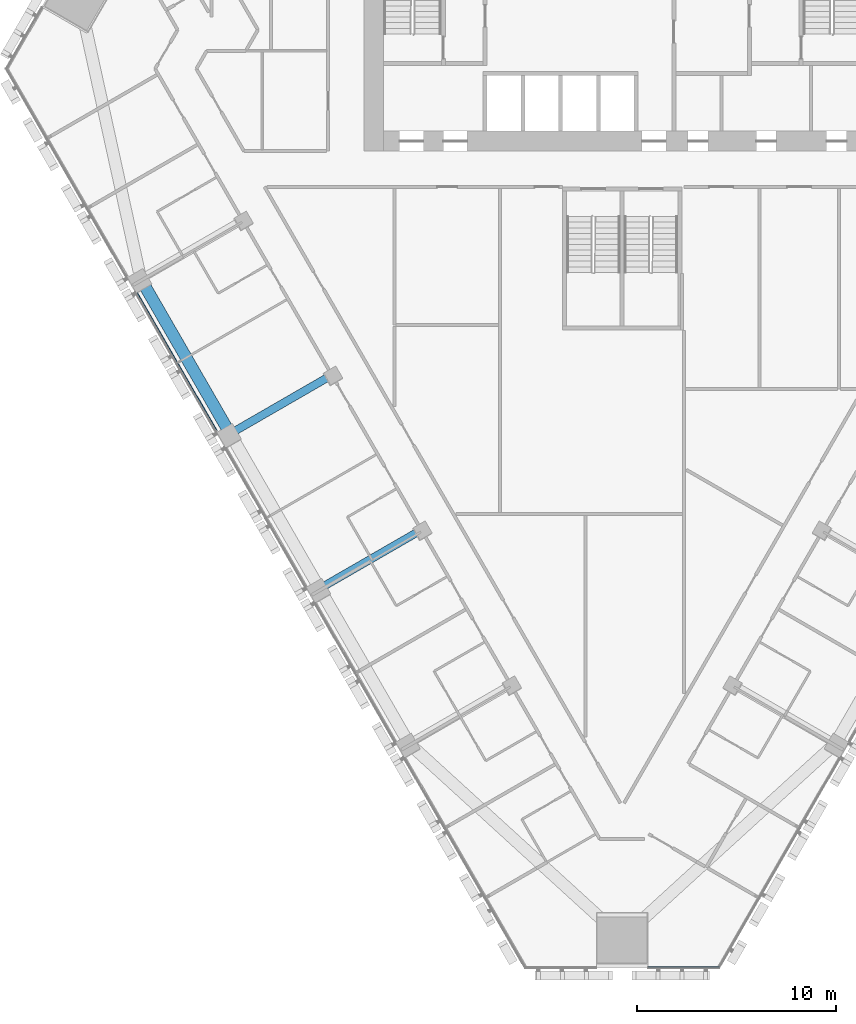
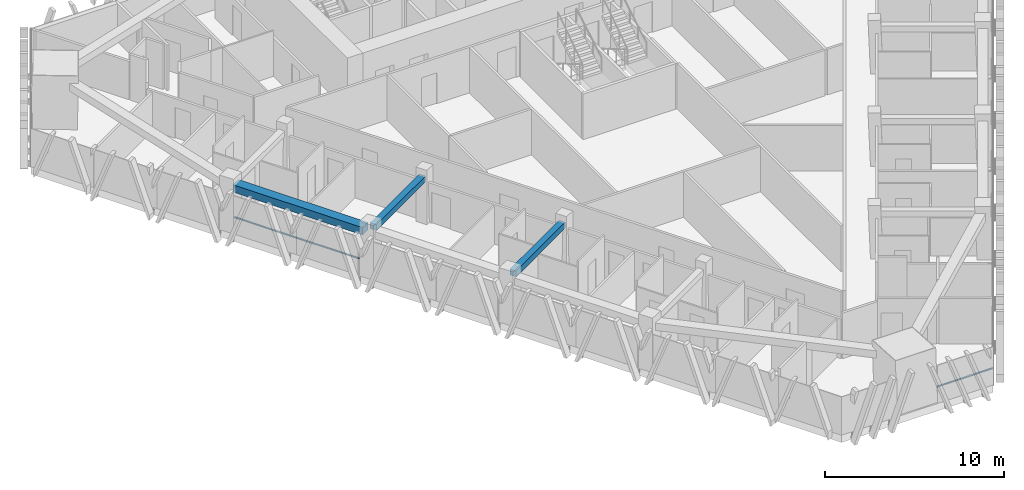
# One storey, part 3 of 18: 3 beams, 2 members, 2 elements without a shape of their own.
"""IFC4 building model written with IfcOpenShell, lengths in metres."""

from ifc_helpers import new_model, si_unit, direction, frame, origin, origin_2d, place, context, subcontext, project, spatial, rectangle, extrude, material, layer, layer_set, material_profile, profile_set, type_object, element, aggregate, save


model = new_model("IFC4")

# Units and contexts
model_context = context("Model", 3, precision=1e-05, world=origin(), true_north=direction((0.0, 1.0)))
body_context = subcontext(model_context, "Body", "Model", "MODEL_VIEW")
ifc_project = project(units=[si_unit("LENGTHUNIT", "METRE"), si_unit("AREAUNIT", "SQUARE_METRE"), si_unit("VOLUMEUNIT", "CUBIC_METRE"), si_unit("PLANEANGLEUNIT", "RADIAN"), si_unit("MASSUNIT", "GRAM", prefix="KILO")], contexts=[model_context])

# Site, building, storey
site_placement = place(None, origin())
site = spatial("IfcSite", under=ifc_project, at=site_placement, CompositionType="ELEMENT")
building_placement = place(site_placement, origin())
building = spatial("IfcBuilding", under=site, at=building_placement, Name="Altiplano Prism Tower", CompositionType="ELEMENT")
storey_placement = place(building_placement, frame((0.0, 0.0, 37.800048828125)))
storey = spatial("IfcBuildingStorey", under=building, at=storey_placement, Name="L08", CompositionType="ELEMENT", Elevation=37.800048828125)

# Curtain wall, member
ifc_material_1 = material(Name="Aluminium and glass", Category="aluminium")
ifc_layer = layer(ifc_material_1, 0.280029296875)
ifc_layer_set = layer_set([ifc_layer], Name="Aluminium and glass")
curtain_wall_type = type_object("IfcCurtainWallType", Name="CW1 typical co-living unitised curtain wall", PredefinedType="NOTDEFINED", material=ifc_layer_set)
curtain_wall_1_placement = place(storey_placement, origin())
curtain_wall_1 = element("IfcCurtainWall", 1, at=curtain_wall_1_placement, inside=storey, type_object=curtain_wall_type, Name="CW1 curtain wall south-west face L08", PredefinedType="NOTDEFINED")
ifc_material_2 = material(Name="Aluminium", Category="aluminium")
ifc_material_profile_1 = material_profile(ifc_material_2, rectangle(XDim=0.06005859375, YDim=0.080078125, at=origin_2d()), Name="CW1 transom 80 x 60")
ifc_profile_set_1 = profile_set([ifc_material_profile_1], Name="Aluminium")
member_type = type_object("IfcMemberType", Name="CW1 transom 80 x 60", PredefinedType="USERDEFINED", material=ifc_profile_set_1)
member_1_placement = place(storey_placement, frame((60.58935546875, 85.251708984375, 1.099853515625), z_axis=(0.500012318566, -0.86601829154, 0.0), x_axis=(0.86601829154, 0.500012318566, 0.0)))
member_1 = element("IfcMember", 2, at=member_1_placement, type_object=member_type, Name="CW1 transom", ObjectType="TRANSOM", PredefinedType="USERDEFINED", context=body_context, shape_type="SweptSolid", body=[
    extrude(rectangle(XDim=0.06005859375, YDim=0.080078125, at=origin_2d()), origin(), (0.0, 0.0, 1.0), 8.019775390625),
])
aggregate(curtain_wall_1, [member_1])

curtain_wall_2_placement = place(storey_placement, origin())
curtain_wall_2 = element("IfcCurtainWall", 3, at=curtain_wall_2_placement, inside=storey, type_object=curtain_wall_type, Name="CW1 curtain wall south chamfer L08", PredefinedType="NOTDEFINED")
member_2_placement = place(storey_placement, frame((86.300048828125, 51.361572265625, 1.099853515625), z_axis=(1.0, 0.0, 0.0), x_axis=(0.0, 1.0, 0.0)))
member_2 = element("IfcMember", 4, at=member_2_placement, type_object=member_type, Name="CW1 transom", ObjectType="TRANSOM", PredefinedType="USERDEFINED", context=body_context, shape_type="SweptSolid", body=[
    extrude(rectangle(XDim=0.06005859375, YDim=0.080078125, at=origin_2d()), origin(), (0.0, 0.0, 1.0), 3.58447265625),
])
aggregate(curtain_wall_2, [member_2])

# Beams
ifc_material_3 = material(Name="Concrete C60/75", Category="concrete")
ifc_material_profile_2 = material_profile(ifc_material_3, rectangle(XDim=0.60009765625, YDim=0.5, at=origin_2d()), Name="Edge beam 600x500")
ifc_profile_set_2 = profile_set([ifc_material_profile_2], Name="Concrete C60/75")
beam_type_1 = type_object("IfcBeamType", Name="Edge beam 600x500", PredefinedType="SPANDREL", material=ifc_profile_set_2)
beam_placement = place(storey_placement, frame((60.938232421875, 85.684814453125, 2.849853515625), z_axis=(0.499992746786, -0.866029591389, 0.0), x_axis=(0.866029591389, 0.499992746786, 0.0)))
element("IfcBeam", 5, at=beam_placement, inside=storey, type_object=beam_type_1, Name="Edge beam P11-P12 L09", PredefinedType="SPANDREL", context=body_context, shape_type="SweptSolid", body=[
    extrude(rectangle(XDim=0.60009765625, YDim=0.5, at=origin_2d()), origin(), (0.0, 0.0, 1.0), 8.33984375),
])
ifc_material_profile_3 = material_profile(ifc_material_3, rectangle(XDim=0.39990234375, YDim=0.39990234375, at=origin_2d()), Name="Tie beam 400x400")
ifc_profile_set_3 = profile_set([ifc_material_profile_3], Name="Concrete C60/75")
beam_type_2 = type_object("IfcBeamType", Name="Tie beam 400x400", PredefinedType="BEAM", material=ifc_profile_set_3)
for number, where, z_axis, x_axis, name in (
    (6, (70.3134765625, 81.086181640625, 2.89990234375), (-0.866042665983, -0.499970099802, 0.0), (0.499970099802, -0.866042665983, 0.0), "Tie beam I12 L09"),
    (7, (74.8134765625, 73.2919921875, 2.89990234375), (-0.866042665983, -0.499970099802, 0.0), (0.499970099802, -0.866042665983, 0.0), "Tie beam I13 L09"),
):
    element("IfcBeam", number, at=place(storey_placement, frame(where, z_axis=z_axis, x_axis=x_axis)), inside=storey, type_object=beam_type_2, Name=name, PredefinedType="BEAM", context=body_context, shape_type="SweptSolid", body=[
        extrude(rectangle(XDim=0.39990234375, YDim=0.39990234375, at=origin_2d()), origin(), (0.0, 0.0, 1.0), 5.489990234375),
    ])

save(model, "model.ifc")
